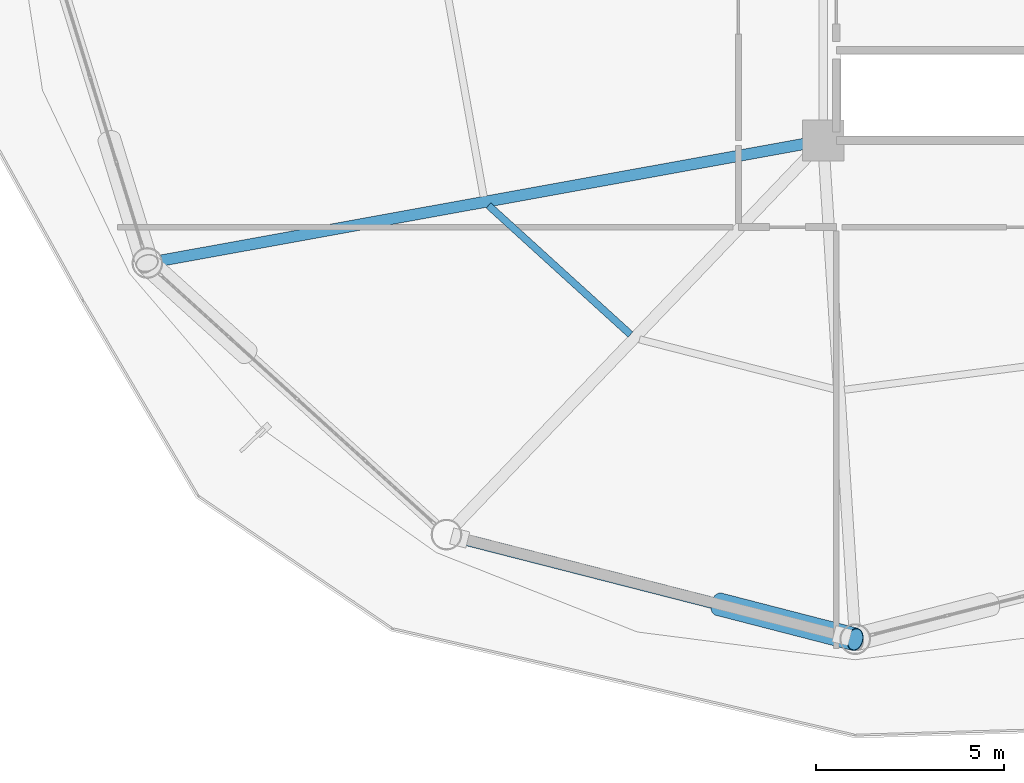
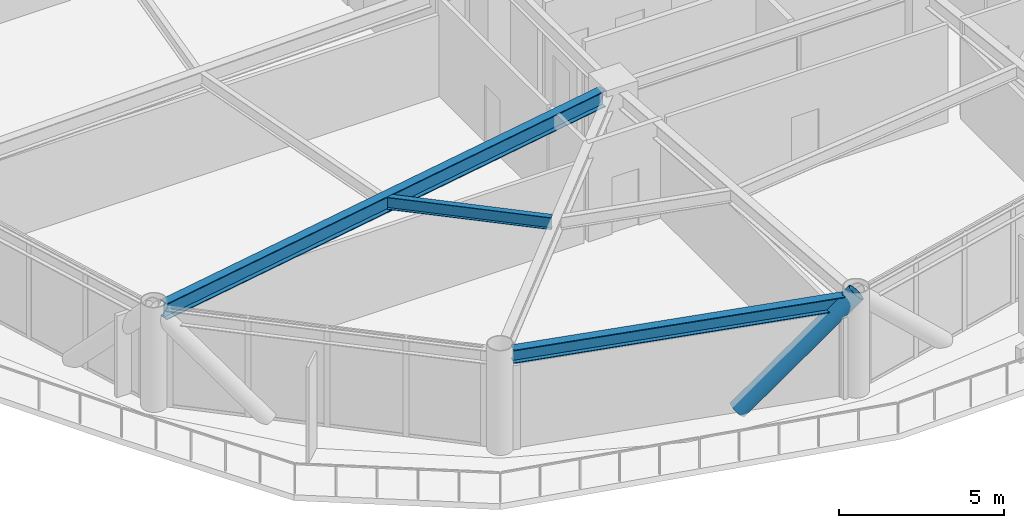
# One storey, part 4 of 23: 3 beams, 1 member.
"""IFC4 building model written with IfcOpenShell, lengths in metres."""

from ifc_helpers import new_model, si_unit, direction, frame, origin, origin_2d, place, context, subcontext, project, spatial, hollow_circle, i_section, extrude, material, material_profile, profile_set, type_object, element, save


model = new_model("IFC4")

# Units and contexts
model_context = context("Model", 3, precision=1e-05, world=origin(), true_north=direction((0.0, 1.0)))
body_context = subcontext(model_context, "Body", "Model", "MODEL_VIEW")
ifc_project = project(units=[si_unit("LENGTHUNIT", "METRE"), si_unit("AREAUNIT", "SQUARE_METRE"), si_unit("VOLUMEUNIT", "CUBIC_METRE"), si_unit("PLANEANGLEUNIT", "RADIAN"), si_unit("MASSUNIT", "GRAM", prefix="KILO")], contexts=[model_context])

# Site, building, storey
site_placement = place(None, origin())
site = spatial("IfcSite", under=ifc_project, at=site_placement, CompositionType="ELEMENT")
building_placement = place(site_placement, origin())
building = spatial("IfcBuilding", under=site, at=building_placement, Name="Varnakorn Sky Granary", CompositionType="ELEMENT")
storey_placement = place(building_placement, frame((0.0, 0.0, 83.699951171875)))
storey = spatial("IfcBuildingStorey", under=building, at=storey_placement, Name="L20", CompositionType="ELEMENT", Elevation=83.699951171875)

# Beams
ifc_material_1 = material(Name="Steel S355JR", Category="steel")
ifc_material_profile_1 = material_profile(ifc_material_1, i_section(OverallWidth=0.300048828125, OverallDepth=0.60009765625, WebThickness=0.015380859375, FlangeThickness=0.030029296875, at=origin_2d()), Name="HE 600 B")
ifc_profile_set_1 = profile_set([ifc_material_profile_1], Name="Steel S355JR")
beam_type_1 = type_object("IfcBeamType", Name="BM-RAD-Z2", PredefinedType="BEAM", material=ifc_profile_set_1)
beam_1_placement = place(storey_placement, frame((-2.76318359375, -6.675048828125, 3.340087890625), z_axis=(-0.983939951932, -0.178499778689, 0.0), x_axis=(0.178499778689, -0.983939951932, 0.0)))
element("IfcBeam", 1, at=beam_1_placement, inside=storey, type_object=beam_type_1, Name="Radial Floor Girder RG08 L20", PredefinedType="BEAM", context=body_context, shape_type="SweptSolid", body=[
    extrude(i_section(OverallWidth=0.300048828125, OverallDepth=0.60009765625, WebThickness=0.015380859375, FlangeThickness=0.030029296875, at=origin_2d()), origin(), (0.0, 0.0, 1.0), 17.437255859375),
])
ifc_material_profile_2 = material_profile(ifc_material_1, i_section(OverallWidth=0.18994140625, OverallDepth=0.449951171875, WebThickness=0.009521484375, FlangeThickness=0.0146484375, at=origin_2d()), Name="IPE 450")
ifc_profile_set_2 = profile_set([ifc_material_profile_2], Name="Steel S355JR")
beam_type_2 = type_object("IfcBeamType", Name="BM-SEC-Z2", PredefinedType="BEAM", material=ifc_profile_set_2)
beam_2_placement = place(storey_placement, frame((-11.23828125, -8.325439453125, 3.4150390625), z_axis=(0.740007272814, -0.672598867217, 0.0), x_axis=(0.672598867217, 0.740007272814, 0.0)))
element("IfcBeam", 2, at=beam_2_placement, inside=storey, type_object=beam_type_2, Name="Secondary Floor Chord Beam MSB08 L20", PredefinedType="BEAM", context=body_context, shape_type="SweptSolid", body=[
    extrude(i_section(OverallWidth=0.18994140625, OverallDepth=0.449951171875, WebThickness=0.009521484375, FlangeThickness=0.0146484375, at=origin_2d()), origin(), (0.0, 0.0, 1.0), 5.095947265625),
])
ifc_material_profile_3 = material_profile(ifc_material_1, i_section(OverallWidth=0.300048828125, OverallDepth=0.5, WebThickness=0.014404296875, FlangeThickness=0.028076171875, at=origin_2d()), Name="HE 500 B")
ifc_profile_set_3 = profile_set([ifc_material_profile_3], Name="Steel S355JR")
beam_type_3 = type_object("IfcBeamType", Name="BM-SPD-Z2", PredefinedType="SPANDREL", material=ifc_profile_set_3)
beam_3_placement = place(storey_placement, frame((-11.978271484375, -17.170654296875, 3.39013671875), z_axis=(0.968829377947, -0.247728957586, 0.0), x_axis=(0.247728957586, 0.968829377947, 0.0)))
element("IfcBeam", 3, at=beam_3_placement, inside=storey, type_object=beam_type_3, Name="Perimeter Spandrel Ring Beam RB09 L20", PredefinedType="SPANDREL", context=body_context, shape_type="SweptSolid", body=[
    extrude(i_section(OverallWidth=0.300048828125, OverallDepth=0.5, WebThickness=0.014404296875, FlangeThickness=0.028076171875, at=origin_2d()), origin(), (0.0, 0.0, 1.0), 10.423828125),
])

# Member
ifc_material_2 = material(Name="Steel S460M", Category="steel")
ifc_material_profile_4 = material_profile(ifc_material_2, hollow_circle(Radius=0.304931640625, WallThickness=0.022216796875, at=origin_2d()), Name="CHS 610x22")
ifc_profile_set_4 = profile_set([ifc_material_profile_4], Name="Steel S460M")
member_type = type_object("IfcMemberType", Name="MB-DIAG-T1", PredefinedType="BRACE", material=ifc_profile_set_4)
member_placement = place(storey_placement, frame((-5.117431640625, -18.9169921875, 0.0), z_axis=(0.693520437269, -0.178891483515, 0.697873369757), x_axis=(0.249771288263, 0.968304860857, 0.0)))
element("IfcMember", 4, at=member_placement, inside=storey, type_object=member_type, Name="Perimeter CHS Diagrid Brace DG09 L20", PredefinedType="BRACE", context=body_context, shape_type="SweptSolid", body=[
    extrude(hollow_circle(Radius=0.304931640625, WallThickness=0.022216796875, at=origin_2d()), origin(), (0.0, 0.0, 1.0), 5.216064453125),
])

save(model, "model.ifc")
